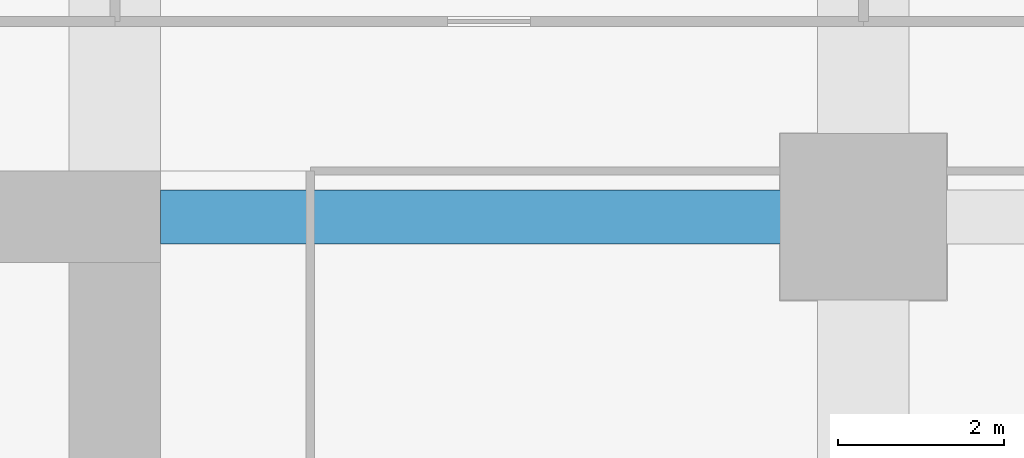
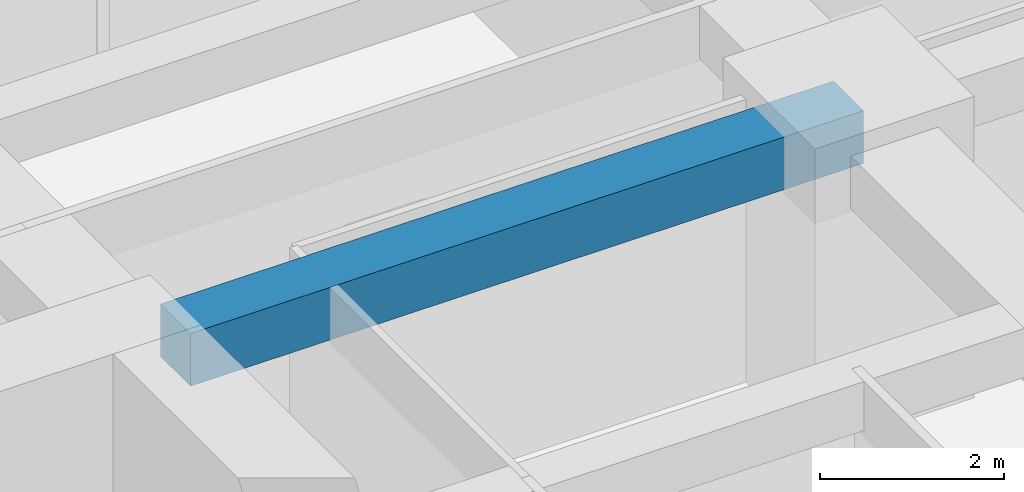
# One storey, part 31 of 41: 1 beam.
"""IFC4 building model written with IfcOpenShell, lengths in metres."""

from ifc_helpers import new_model, si_unit, direction, frame, origin, origin_2d, place, context, subcontext, project, spatial, rectangle, extrude, material, material_profile, profile_set, type_object, element, save


model = new_model("IFC4")

# Units and contexts
model_context = context("Model", 3, precision=1e-05, world=origin(), true_north=direction((0.0, 1.0)))
body_context = subcontext(model_context, "Body", "Model", "MODEL_VIEW")
ifc_project = project(units=[si_unit("LENGTHUNIT", "METRE"), si_unit("AREAUNIT", "SQUARE_METRE"), si_unit("VOLUMEUNIT", "CUBIC_METRE"), si_unit("PLANEANGLEUNIT", "RADIAN"), si_unit("MASSUNIT", "GRAM", prefix="KILO")], contexts=[model_context])

# Site, building, storey
site_placement = place(None, origin())
site = spatial("IfcSite", under=ifc_project, at=site_placement, CompositionType="ELEMENT")
building_placement = place(site_placement, origin())
building = spatial("IfcBuilding", under=site, at=building_placement, Name="Zorevar Civic Tower", CompositionType="ELEMENT")
storey_placement = place(building_placement, frame((0.0, 0.0, 105.0)))
storey = spatial("IfcBuildingStorey", under=building, at=storey_placement, Name="L25", CompositionType="ELEMENT", Elevation=105.0)

# Beam
ifc_material = material(Name="Concrete C50/60", Category="concrete")
ifc_material_profile = material_profile(ifc_material, rectangle(XDim=0.64990234375, YDim=0.699951171875, at=origin_2d()), Name="RC 650x700")
ifc_profile_set = profile_set([ifc_material_profile], Name="Concrete C50/60")
beam_type = type_object("IfcBeamType", Name="Beam RC 650x700", PredefinedType="BEAM", material=ifc_profile_set)
beam_placement = place(storey_placement, frame((45.550048828125, 36.0, 3.39990234375), z_axis=(1.0, 0.0, 0.0), x_axis=(0.0, 1.0, 0.0)))
element("IfcBeam", 1, at=beam_placement, inside=storey, type_object=beam_type, Name="Girder L26", PredefinedType="BEAM", context=body_context, shape_type="SweptSolid", body=[
    extrude(rectangle(XDim=0.64990234375, YDim=0.699951171875, at=origin_2d()), origin(), (0.0, 0.0, 1.0), 8.449951171875),
])

save(model, "model.ifc")
